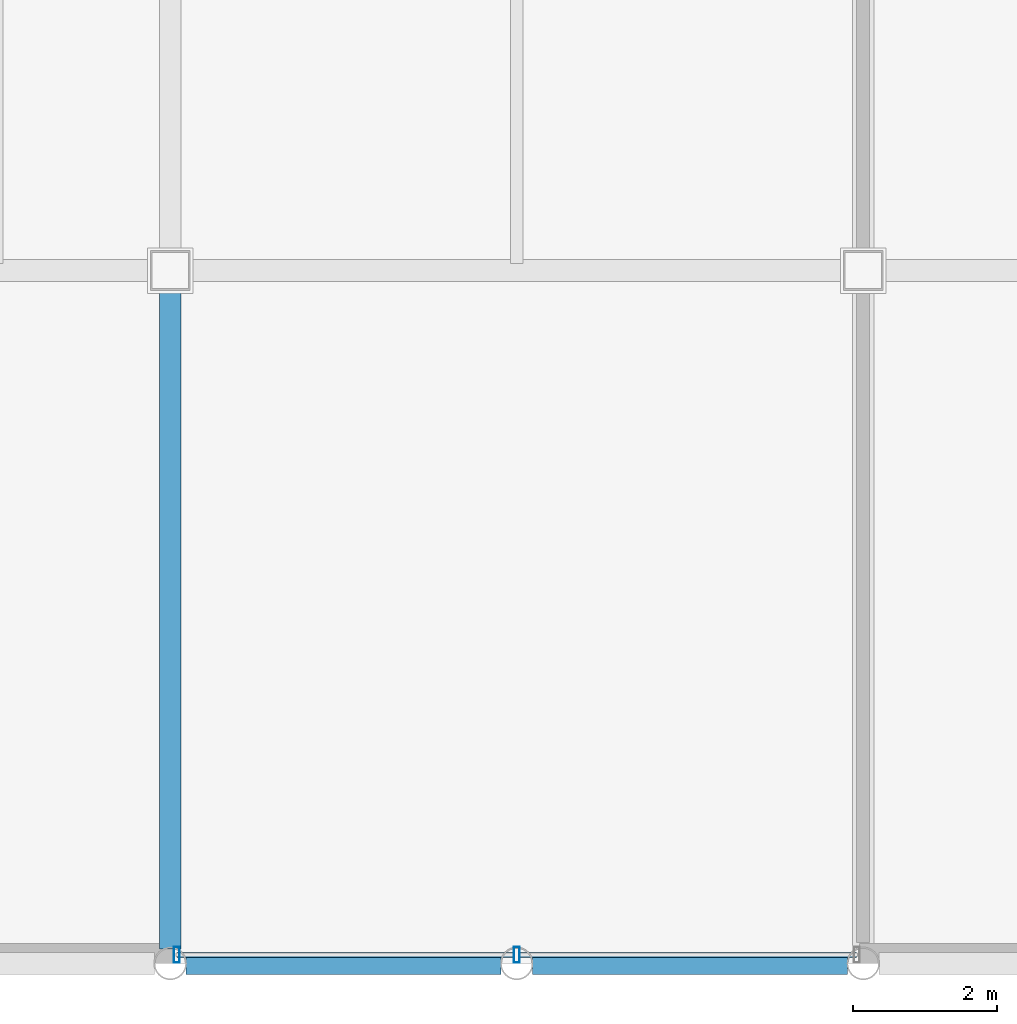
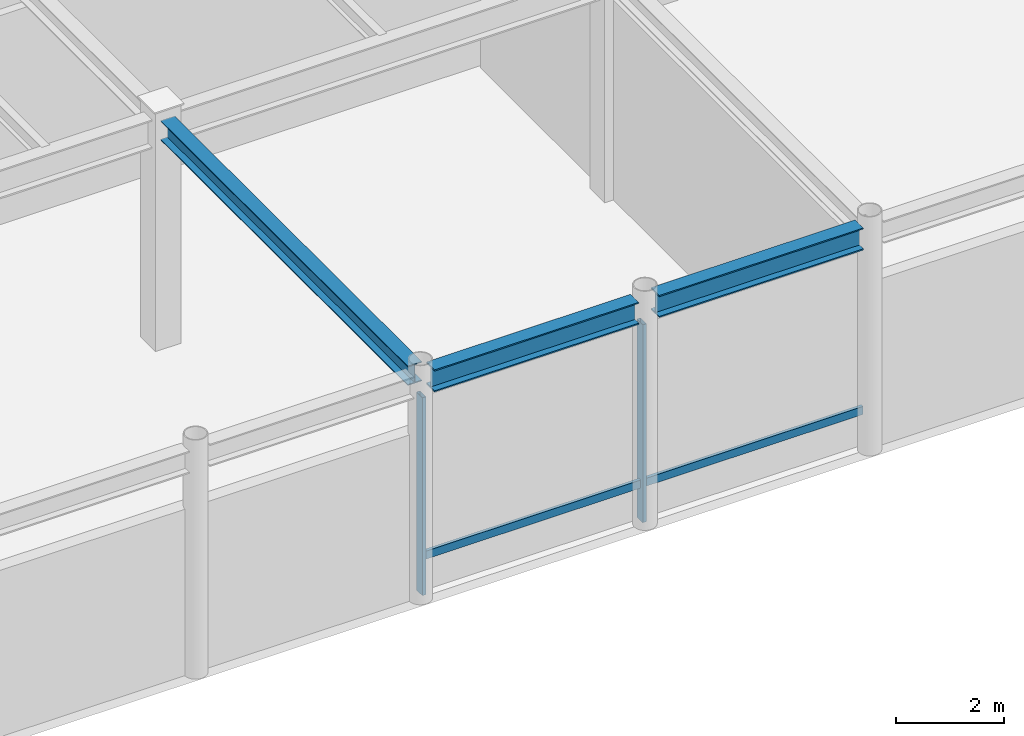
# One storey, part 5 of 21: 4 members, 3 beams, 1 element without a shape of its own.
"""IFC4 building model written with IfcOpenShell, lengths in metres."""

import ifcopenshell
import ifcopenshell.guid

model = None  # the IFC model being written
_history = None  # IfcOwnerHistory: only IFC2X3 demands one
_inside = {}  # id of a spatial element -> (the spatial element, [elements in it])
_under = {}  # id of a project, library or spatial element -> (it, [spatial elements below it])
_declared = {}  # id of a project -> (the project, [libraries it declares])
_typed = {}  # id of a type object -> (the type object, [elements of that type])
_made_of = {}  # id of a material, layer set ... -> (it, [elements and type objects made of it])


def new_model(schema):
    """Start an empty IFC model of exactly this schema.

    Asked for "IFC4X3", IfcOpenShell would pick the latest addendum, in which some entities
    have other attributes; the version numbers below select the first issue.
    IFC2X3 requires an IfcOwnerHistory on every rooted entity: one is made here for all.
    """
    global model, _history
    if schema == "IFC4X3":
        model = ifcopenshell.file(schema_version=(4, 3, 0, 0))
    else:
        model = ifcopenshell.file(schema=schema)
    _inside.clear()
    _under.clear()
    _declared.clear()
    _typed.clear()
    _made_of.clear()
    _history = None
    if model.schema == "IFC2X3":
        org = make("IfcOrganization", Name="unknown")
        user = make(
            "IfcPersonAndOrganization",
            ThePerson=make("IfcPerson", FamilyName="unknown"),
            TheOrganization=org,
        )
        app = make(
            "IfcApplication",
            ApplicationDeveloper=org,
            Version="unknown",
            ApplicationFullName="unknown",
            ApplicationIdentifier="unknown",
        )
        _history = make(
            "IfcOwnerHistory",
            OwningUser=user,
            OwningApplication=app,
            ChangeAction="ADDED",
            CreationDate=0,
        )
    return model


def make(cls, **values):
    """One entity of the class cls with the attributes given. An attribute that is None is left unset."""
    return model.create_entity(
        cls, **{name: value for name, value in values.items() if value is not None}
    )


def rooted(cls, **values):
    """An entity with a GlobalId (a new one), such as an element, a storey or a relation."""
    return make(cls, GlobalId=ifcopenshell.guid.new(), OwnerHistory=_history, **values)


def si_unit(unit_type, name, prefix=None):
    """IfcSIUnit, for example si_unit("LENGTHUNIT", "METRE", prefix="MILLI")."""
    return make("IfcSIUnit", UnitType=unit_type, Prefix=prefix, Name=name)


def assignment(units):
    """IfcUnitAssignment: the units of a project."""
    return None if units is None else make("IfcUnitAssignment", Units=units)


def point(xyz):
    """IfcCartesianPoint."""
    return None if xyz is None else make("IfcCartesianPoint", Coordinates=xyz)


def direction(xyz):
    """IfcDirection."""
    return None if xyz is None else make("IfcDirection", DirectionRatios=xyz)


def frame(location, z_axis=None, x_axis=None):
    """IfcAxis2Placement3D, a coordinate frame: its origin and axes. An axis left out is left unset."""
    return make(
        "IfcAxis2Placement3D",
        Location=point(location),
        Axis=direction(z_axis),
        RefDirection=direction(x_axis),
    )


def frame_2d(location, x_axis=None):
    """IfcAxis2Placement2D, a coordinate frame in the plane: its origin and x axis."""
    return make(
        "IfcAxis2Placement2D", Location=point(location), RefDirection=direction(x_axis)
    )


def origin():
    """The frame at (0, 0, 0) with its axes left unset."""
    return frame((0.0, 0.0, 0.0))


def origin_2d():
    """The frame at (0, 0) in the plane with its x axis left unset."""
    return frame_2d((0.0, 0.0))


def place(relative_to, where):
    """IfcLocalPlacement: puts the frame where relative to a parent placement (None: the world)."""
    return make(
        "IfcLocalPlacement", PlacementRelTo=relative_to, RelativePlacement=where
    )


def context(
    kind, dimensions, precision=None, world=None, true_north=None, identifier=None
):
    """IfcGeometricRepresentationContext, for example the 3D "Model" context."""
    return make(
        "IfcGeometricRepresentationContext",
        ContextIdentifier=identifier,
        ContextType=kind,
        CoordinateSpaceDimension=dimensions,
        Precision=precision,
        WorldCoordinateSystem=world,
        TrueNorth=true_north,
    )


def subcontext(parent, identifier, kind, view, scale=None):
    """IfcGeometricRepresentationSubContext, for example "Body" below "Model"."""
    return make(
        "IfcGeometricRepresentationSubContext",
        ContextIdentifier=identifier,
        ContextType=kind,
        ParentContext=parent,
        TargetScale=scale,
        TargetView=view,
    )


def project(units=None, contexts=None):
    """IfcProject with its units and contexts."""
    return rooted(
        "IfcProject",
        Name="project",
        RepresentationContexts=contexts,
        UnitsInContext=assignment(units),
    )


def spatial(cls, under=None, at=None, **own):
    """A site, building, storey or space (cls), placed at a placement, below another one or the project."""
    s = rooted(cls, ObjectPlacement=at, **own)
    if under is not None:
        _under.setdefault(under.id(), (under, []))[1].append(s)
    return s


def profile(cls, at=None, kind="AREA", **sizes):
    """A parametric profile (cls). Its sizes go by their IFC names, for example OverallWidth=200.0."""
    return make(cls, ProfileType=kind, Position=at, **sizes)


def hollow_rectangle(**sizes):
    """IfcRectangleHollowProfileDef."""
    return profile("IfcRectangleHollowProfileDef", **sizes)


def i_section(**sizes):
    """IfcIShapeProfileDef."""
    return profile("IfcIShapeProfileDef", **sizes)


def extrude(swept, where, along, depth):
    """IfcExtrudedAreaSolid: the profile swept, set in the frame where, extruded along a direction by depth."""
    return make(
        "IfcExtrudedAreaSolid",
        SweptArea=swept,
        Position=where,
        ExtrudedDirection=direction(along),
        Depth=depth,
    )


def shape(context_of_items, identifier, shape_type, items):
    """IfcShapeRepresentation: the items that make up one representation, for example the "Body"."""
    return make(
        "IfcShapeRepresentation",
        ContextOfItems=context_of_items,
        RepresentationIdentifier=identifier,
        RepresentationType=shape_type,
        Items=items,
    )


def material(Name=None, Category=None):
    """IfcMaterial."""
    return make("IfcMaterial", Name=Name, Category=Category)


def layer(
    of_material, thickness, ventilated=None, Name=None, Category=None, Priority=None
):
    """IfcMaterialLayer: one layer of a wall or slab, of a material (None: an air gap)."""
    return make(
        "IfcMaterialLayer",
        Material=of_material,
        LayerThickness=thickness,
        IsVentilated=ventilated,
        Name=Name,
        Category=Category,
        Priority=Priority,
    )


def layer_set(layers, Name=None):
    """IfcMaterialLayerSet."""
    return make("IfcMaterialLayerSet", MaterialLayers=layers, LayerSetName=Name)


def material_profile(
    of_material, cross_section, Name=None, Category=None, Priority=None
):
    """IfcMaterialProfile: a cross section and its material."""
    return make(
        "IfcMaterialProfile",
        Name=Name,
        Material=of_material,
        Profile=cross_section,
        Priority=Priority,
        Category=Category,
    )


def profile_set(profiles, Name=None, composite=None):
    """IfcMaterialProfileSet."""
    return make(
        "IfcMaterialProfileSet",
        Name=Name,
        MaterialProfiles=profiles,
        CompositeProfile=composite,
    )


def made_of(thing, what):
    """Note that an element or type object is made of a material, layer set ...; save() writes the relation."""
    if what is not None:
        _made_of.setdefault(what.id(), (what, []))[1].append(thing)
    return thing


def type_object(cls, material=None, **own):
    """A type object (cls), such as IfcWallType, which elements share."""
    return made_of(rooted(cls, **own), material)


def element(
    cls,
    number,
    at=None,
    inside=None,
    cuts=None,
    type_object=None,
    material=None,
    context=None,
    identifier="Body",
    shape_type=None,
    held_by="IfcProductDefinitionShape",
    body=None,
    shapes=None,
    **own,
):
    """One element of the class cls, such as IfcWall. Its Tag is "e" and its number.

    at: its placement. inside: the storey or other place that contains it. cuts: it is an
    opening in that element (IfcRelVoidsElement). A single representation is given by context,
    identifier, shape_type and body (its items); several are given by shapes. held_by: the class
    of the entity that holds the representations. save() writes the other relations.
    """
    e = rooted(cls, Tag="e%d" % number, ObjectPlacement=at, **own)
    if body is not None:
        shapes = [shape(context, identifier, shape_type, body)]
    if shapes is not None:
        e.Representation = make(held_by, Representations=shapes)
    if inside is not None:
        _inside.setdefault(inside.id(), (inside, []))[1].append(e)
    if cuts is not None:
        rooted(
            "IfcRelVoidsElement", RelatingBuildingElement=cuts, RelatedOpeningElement=e
        )
    if type_object is not None:
        _typed.setdefault(type_object.id(), (type_object, []))[1].append(e)
    return made_of(e, material)


def aggregate(whole, parts):
    """IfcRelAggregates: a whole, such as a stair, and the parts it consists of."""
    return rooted("IfcRelAggregates", RelatingObject=whole, RelatedObjects=parts)


def save(model, path):
    """Write the relations noted so far, then the file.

    IfcRelAggregates (storeys below a building ...), IfcRelContainedInSpatialStructure (elements
    in a storey), IfcRelDefinesByType, IfcRelAssociatesMaterial and IfcRelDeclares: one each for
    every whole, place, type object, material and project.
    """
    for whole, parts in _under.values():
        aggregate(whole, parts)
    for where, things in _inside.values():
        rooted(
            "IfcRelContainedInSpatialStructure",
            RelatedElements=things,
            RelatingStructure=where,
        )
    for kind, things in _typed.values():
        rooted("IfcRelDefinesByType", RelatedObjects=things, RelatingType=kind)
    for what, things in _made_of.values():
        rooted("IfcRelAssociatesMaterial", RelatedObjects=things, RelatingMaterial=what)
    for by, libraries in _declared.values():
        rooted("IfcRelDeclares", RelatingContext=by, RelatedDefinitions=libraries)
    model.write(path)


model = new_model("IFC4")

# Units and contexts
model_context = context("Model", 3, precision=1e-05, world=origin(), true_north=direction((0.0, 1.0)))
body_context = subcontext(model_context, "Body", "Model", "MODEL_VIEW")
ifc_project = project(units=[si_unit("LENGTHUNIT", "METRE"), si_unit("AREAUNIT", "SQUARE_METRE"), si_unit("VOLUMEUNIT", "CUBIC_METRE"), si_unit("PLANEANGLEUNIT", "RADIAN"), si_unit("MASSUNIT", "GRAM", prefix="KILO")], contexts=[model_context])

# Site, building, storey
site_placement = place(None, origin())
site = spatial("IfcSite", under=ifc_project, at=site_placement, CompositionType="ELEMENT")
building_placement = place(site_placement, origin())
building = spatial("IfcBuilding", under=site, at=building_placement, Name="Kallvorn Hotel Tower", CompositionType="ELEMENT")
storey_placement = place(building_placement, frame((0.0, 0.0, 300.60009765625)))
storey = spatial("IfcBuildingStorey", under=building, at=storey_placement, Name="L74", CompositionType="ELEMENT", Elevation=300.60009765625)

# Beams
ifc_material_1 = material(Name="Structural steel S355JR", Category="steel")
ifc_material_profile_1 = material_profile(ifc_material_1, i_section(OverallWidth=0.300048828125, OverallDepth=0.43994140625, WebThickness=0.011474609375, FlangeThickness=0.02099609375, at=origin_2d()), Name="HE 450 A")
ifc_profile_set_1 = profile_set([ifc_material_profile_1], Name="Structural steel S355JR")
beam_type_1 = type_object("IfcBeamType", Name="BM_HE450A", PredefinedType="BEAM", material=ifc_profile_set_1)
beam_placement = place(storey_placement, frame((-4.800048828125, -23.79638671875, 4.93994140625), z_axis=(0.0, 1.0, 0.0), x_axis=(-1.0, 0.0, 0.0)))
element("IfcBeam", 1, at=beam_placement, inside=storey, type_object=beam_type_1, Name="ROOF Primary Y-Girder 37", PredefinedType="BEAM", context=body_context, shape_type="SweptSolid", body=[
    extrude(i_section(OverallWidth=0.300048828125, OverallDepth=0.43994140625, WebThickness=0.011474609375, FlangeThickness=0.02099609375, at=origin_2d()), origin(), (0.0, 0.0, 1.0), 9.146484375),
])
ifc_material_2 = material(Name="Structural steel S355JR", Category="steel")
ifc_material_profile_2 = material_profile(ifc_material_2, i_section(OverallWidth=0.300048828125, OverallDepth=0.5, WebThickness=0.014404296875, FlangeThickness=0.028076171875, at=origin_2d()), Name="HE 500 B")
ifc_profile_set_2 = profile_set([ifc_material_profile_2], Name="Structural steel S355JR")
beam_type_2 = type_object("IfcBeamType", Name="BM_HE500B", PredefinedType="SPANDREL", material=ifc_profile_set_2)
for number, where, z_axis, x_axis, name in (
    (2, (-4.58154296875, -24.0, 4.909912109375), (1.0, 0.0, 0.0), (0.0, 1.0, 0.0), "ROOF Perimeter Spandrel 58"),
    (3, (0.218505859375, -24.0, 4.909912109375), (1.0, 0.0, 0.0), (0.0, 1.0, 0.0), "ROOF Perimeter Spandrel 59"),
):
    element("IfcBeam", number, at=place(storey_placement, frame(where, z_axis=z_axis, x_axis=x_axis)), inside=storey, type_object=beam_type_2, Name=name, PredefinedType="SPANDREL", context=body_context, shape_type="SweptSolid", body=[
        extrude(i_section(OverallWidth=0.300048828125, OverallDepth=0.5, WebThickness=0.014404296875, FlangeThickness=0.028076171875, at=origin_2d()), origin(), (0.0, 0.0, 1.0), 4.363037109375),
    ])

# Curtain wall, members
ifc_material_3 = material(Name="Thermally broken black-anodised aluminium AA 6063-T6", Category="aluminium")
ifc_layer = layer(ifc_material_3, 0.25)
ifc_layer_set = layer_set([ifc_layer], Name="CW_SYS_6_SUMMIT_OBS")
curtain_wall_type = type_object("IfcCurtainWallType", Name="CW_SYS_6_SUMMIT_OBS", PredefinedType="USERDEFINED", material=ifc_layer_set)
curtain_wall_placement = place(storey_placement, origin())
curtain_wall = element("IfcCurtainWall", 4, at=curtain_wall_placement, inside=storey, type_object=curtain_wall_type, Name="L74 Dark-Glass Curtain Wall CW-L74-SC", ObjectType="UNITISED CURTAIN WALL", PredefinedType="USERDEFINED")
ifc_material_4 = material(Name="Thermally broken black-anodised aluminium AA 6063-T6", Category="aluminium")
ifc_material_profile_3 = material_profile(ifc_material_4, hollow_rectangle(XDim=0.080078125, YDim=0.219970703125, WallThickness=0.0048828125, at=origin_2d()), Name="MUL 220x80")
ifc_profile_set_3 = profile_set([ifc_material_profile_3], Name="Thermally broken black-anodised aluminium AA 6063-T6")
member_type_1 = type_object("IfcMemberType", Name="CW_MULLION_220x80", PredefinedType="MULLION", material=ifc_profile_set_3)
member_1_placement = place(storey_placement, frame((-4.7099609375, -23.8798828125, 0.02001953125), z_axis=(0.0, 0.0, 1.0), x_axis=(1.0, 0.0, 0.0)))
member_1 = element("IfcMember", 5, at=member_1_placement, type_object=member_type_1, Name="CW-L74-SC Mullion 00", PredefinedType="MULLION", context=body_context, shape_type="SweptSolid", body=[
    extrude(hollow_rectangle(XDim=0.080078125, YDim=0.219970703125, WallThickness=0.0048828125, at=origin_2d()), origin(), (0.0, 0.0, 1.0), 4.469970703125),
])
member_2_placement = place(storey_placement, frame((0.0, -23.8798828125, 0.02001953125), z_axis=(0.0, 0.0, 1.0), x_axis=(1.0, 0.0, 0.0)))
member_2 = element("IfcMember", 6, at=member_2_placement, type_object=member_type_1, Name="CW-L74-SC Mullion 01", PredefinedType="MULLION", context=body_context, shape_type="SweptSolid", body=[
    extrude(hollow_rectangle(XDim=0.080078125, YDim=0.219970703125, WallThickness=0.0048828125, at=origin_2d()), origin(), (0.0, 0.0, 1.0), 4.469970703125),
])
ifc_material_5 = material(Name="Thermally broken black-anodised aluminium AA 6063-T6", Category="aluminium")
ifc_material_profile_4 = material_profile(ifc_material_5, hollow_rectangle(XDim=0.070068359375, YDim=0.179931640625, WallThickness=0.00390625, at=origin_2d()), Name="TRN 180x70")
ifc_profile_set_4 = profile_set([ifc_material_profile_4], Name="Thermally broken black-anodised aluminium AA 6063-T6")
member_type_2 = type_object("IfcMemberType", Name="CW_TRANSOM_180x70", PredefinedType="USERDEFINED", material=ifc_profile_set_4)
member_3_placement = place(storey_placement, frame((-4.7099609375, -23.8798828125, 0.849853515625), z_axis=(1.0, 0.0, 0.0), x_axis=(0.0, 1.0, 0.0)))
member_3 = element("IfcMember", 7, at=member_3_placement, type_object=member_type_2, Name="CW-L74-SC Transom 00M", ObjectType="TRANSOM", PredefinedType="USERDEFINED", context=body_context, shape_type="SweptSolid", body=[
    extrude(hollow_rectangle(XDim=0.070068359375, YDim=0.179931640625, WallThickness=0.00390625, at=origin_2d()), origin(), (0.0, 0.0, 1.0), 4.669921875),
])
member_4_placement = place(storey_placement, frame((0.0400390625, -23.8798828125, 0.849853515625), z_axis=(1.0, 0.0, 0.0), x_axis=(0.0, 1.0, 0.0)))
member_4 = element("IfcMember", 8, at=member_4_placement, type_object=member_type_2, Name="CW-L74-SC Transom 01M", ObjectType="TRANSOM", PredefinedType="USERDEFINED", context=body_context, shape_type="SweptSolid", body=[
    extrude(hollow_rectangle(XDim=0.070068359375, YDim=0.179931640625, WallThickness=0.00390625, at=origin_2d()), origin(), (0.0, 0.0, 1.0), 4.669921875),
])
aggregate(curtain_wall, [member_1, member_2, member_3, member_4])

save(model, "model.ifc")
